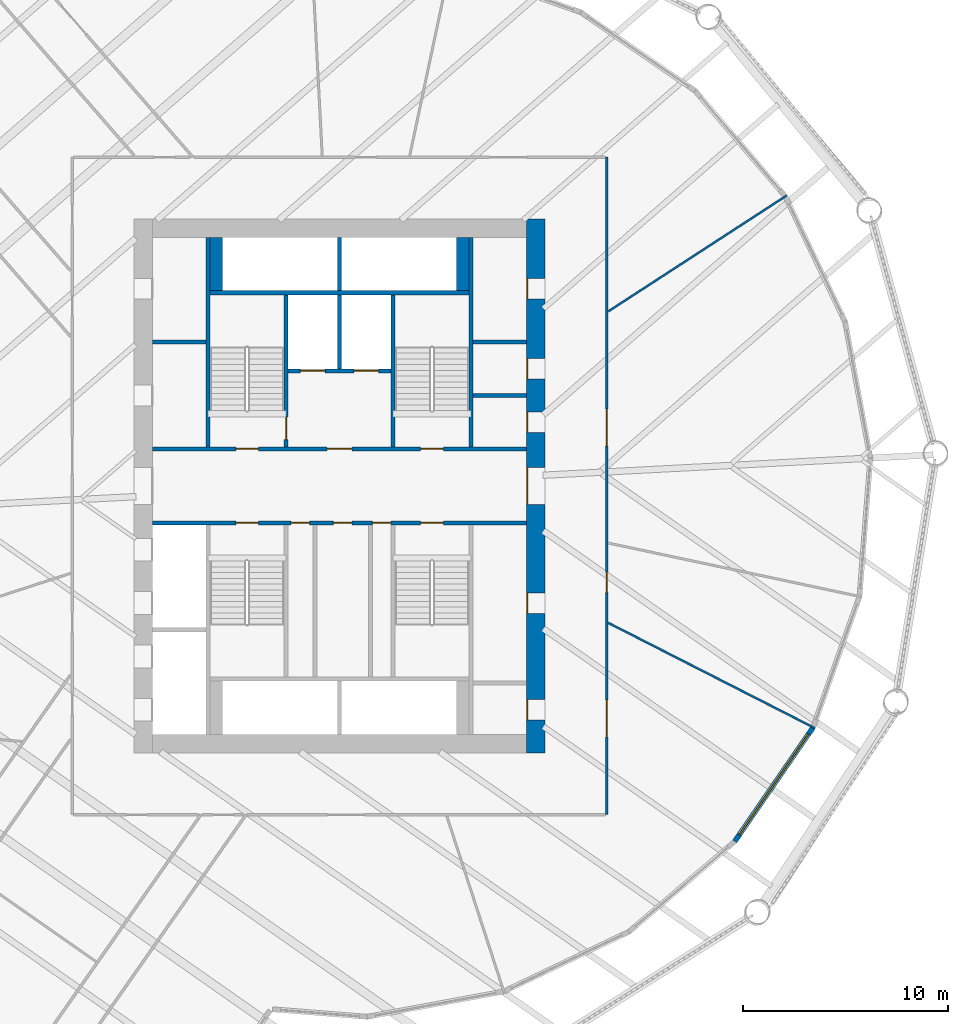
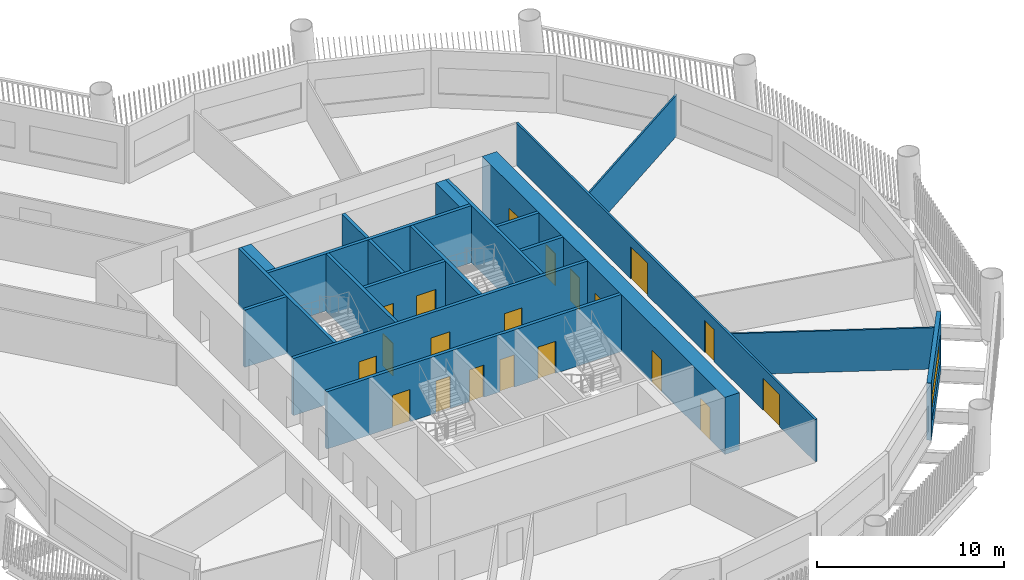
# One storey, part 5 of 15: 20 doors, 20 walls, 1 window, 21 openings.
"""IFC4 building model written with IfcOpenShell, lengths in metres."""

from ifc_helpers import new_model, si_unit, direction, frame, frame_2d, origin, place, context, subcontext, project, spatial, rectangle, extrude, material, layer, layer_set, type_object, element, fill, save


model = new_model("IFC4")

# Units and contexts
model_context = context("Model", 3, precision=1e-05, world=origin(), true_north=direction((0.0, 1.0)))
body_context = subcontext(model_context, "Body", "Model", "MODEL_VIEW")
ifc_project = project(units=[si_unit("LENGTHUNIT", "METRE"), si_unit("AREAUNIT", "SQUARE_METRE"), si_unit("VOLUMEUNIT", "CUBIC_METRE"), si_unit("PLANEANGLEUNIT", "RADIAN"), si_unit("MASSUNIT", "GRAM", prefix="KILO")], contexts=[model_context])

# Site, building, storey
site_placement = place(None, origin())
site = spatial("IfcSite", under=ifc_project, at=site_placement, CompositionType="ELEMENT")
building_placement = place(site_placement, origin())
building = spatial("IfcBuilding", under=site, at=building_placement, Name="Tarsis Ring Headquarters", CompositionType="ELEMENT")
storey_placement = place(building_placement, frame((0.0, 0.0, 51.699951171875)))
storey = spatial("IfcBuildingStorey", under=building, at=storey_placement, Name="L10", CompositionType="ELEMENT", Elevation=51.699951171875)

# Walls
ifc_material_1 = material(Name="Blockwork", Category="masonry")
ifc_layer_1 = layer(ifc_material_1, 0.199951171875)
ifc_layer_set_1 = layer_set([ifc_layer_1], Name="Core blockwork wall 200")
wall_type_1 = type_object("IfcWallType", Name="Core blockwork wall 200", PredefinedType="PARTITIONING", material=ifc_layer_set_1)
for number, where, z_axis, x_axis, name in (
    (1, (-9.10009765625, 7.0, 0.0), (0.0, 0.0, 1.0), (1.0, 0.0, 0.0), "Core partition WD6"),
    (2, (6.5, 4.39990234375, 0.0), (0.0, 0.0, 1.0), (1.0, 0.0, 0.0), "Core partition ED5"),
    (3, (6.5, 7.0, 0.0), (0.0, 0.0, 1.0), (1.0, 0.0, 0.0), "Core partition ED6"),
):
    element("IfcWall", number, at=place(storey_placement, frame(where, z_axis=z_axis, x_axis=x_axis)), inside=storey, type_object=wall_type_1, Name=name, PredefinedType="PARTITIONING", context=body_context, shape_type="SweptSolid", body=[
        extrude(rectangle(XDim=2.60009765625, YDim=0.199951171875, at=frame_2d((1.300048828125, 0.0))), origin(), (0.0, 0.0, 1.0), 3.739990234375),
    ])

# Wall, openings, doors
ifc_material_2 = material(Name="Concrete C60/75", Category="concrete")
ifc_layer_2 = layer(ifc_material_2, 0.89990234375)
ifc_layer_set_2 = layer_set([ifc_layer_2], Name="Core wall 900 C60/75")
wall_type_2 = type_object("IfcWallType", Name="Core wall 900 C60/75", PredefinedType="SHEAR", material=ifc_layer_set_2)
wall_1_placement = place(storey_placement, frame((9.550048828125, -13.0, 0.0), z_axis=(0.0, 0.0, 1.0), x_axis=(0.0, 1.0, 0.0)))
wall_1 = element("IfcWall", 4, at=wall_1_placement, inside=storey, type_object=wall_type_2, Name="Core wall OE", PredefinedType="SHEAR", context=body_context, shape_type="SweptSolid", body=[
    extrude(rectangle(XDim=26.0, YDim=0.89990234375, at=frame_2d((13.0, 0.0))), origin(), (0.0, 0.0, 1.0), 3.739990234375),
])
opening_1_placement = place(wall_1_placement, frame((1.60009765625, 0.0, 0.0)))
opening_1 = element("IfcOpeningElement", 5, at=opening_1_placement, cuts=wall_1, Name="Opening L10-C08", PredefinedType="OPENING", context=body_context, shape_type="SweptSolid", body=[
    extrude(rectangle(XDim=1.0, YDim=2.10009765625, at=frame_2d((0.5, 1.050048828125))), frame((0.0, 0.4599609375, 0.0), z_axis=(0.0, -1.0, 0.0), x_axis=(1.0, 0.0, 0.0)), (0.0, 0.0, 1.0), 0.919921875),
])
opening_2_placement = place(wall_1_placement, frame((6.800048828125, 0.0, 0.0)))
opening_2 = element("IfcOpeningElement", 6, at=opening_2_placement, cuts=wall_1, Name="Opening L10-C09", PredefinedType="OPENING", context=body_context, shape_type="SweptSolid", body=[
    extrude(rectangle(XDim=1.0, YDim=2.10009765625, at=frame_2d((0.5, 1.050048828125))), frame((0.0, 0.4599609375, 0.0), z_axis=(0.0, -1.0, 0.0), x_axis=(1.0, 0.0, 0.0)), (0.0, 0.0, 1.0), 0.919921875),
])
opening_3_placement = place(wall_1_placement, frame((12.10009765625, 0.0, 0.0)))
opening_3 = element("IfcOpeningElement", 7, at=opening_3_placement, cuts=wall_1, Name="Opening L10-C10", PredefinedType="OPENING", context=body_context, shape_type="SweptSolid", body=[
    extrude(rectangle(XDim=1.800048828125, YDim=2.10009765625, at=frame_2d((0.89990234375, 1.050048828125))), frame((0.0, 0.4599609375, 0.0), z_axis=(0.0, -1.0, 0.0), x_axis=(1.0, 0.0, 0.0)), (0.0, 0.0, 1.0), 0.919921875),
])
opening_4_placement = place(wall_1_placement, frame((15.60009765625, 0.0, 0.0)))
opening_4 = element("IfcOpeningElement", 8, at=opening_4_placement, cuts=wall_1, Name="Opening L10-C11", PredefinedType="OPENING", context=body_context, shape_type="SweptSolid", body=[
    extrude(rectangle(XDim=1.0, YDim=2.10009765625, at=frame_2d((0.5, 1.050048828125))), frame((0.0, 0.4599609375, 0.0), z_axis=(0.0, -1.0, 0.0), x_axis=(1.0, 0.0, 0.0)), (0.0, 0.0, 1.0), 0.919921875),
])
opening_5_placement = place(wall_1_placement, frame((18.199951171875, 0.0, 0.0)))
opening_5 = element("IfcOpeningElement", 9, at=opening_5_placement, cuts=wall_1, Name="Opening L10-C12", PredefinedType="OPENING", context=body_context, shape_type="SweptSolid", body=[
    extrude(rectangle(XDim=1.0, YDim=2.10009765625, at=frame_2d((0.5, 1.050048828125))), frame((0.0, 0.4599609375, 0.0), z_axis=(0.0, -1.0, 0.0), x_axis=(1.0, 0.0, 0.0)), (0.0, 0.0, 1.0), 0.919921875),
])
opening_6_placement = place(wall_1_placement, frame((22.10009765625, 0.0, 0.0)))
opening_6 = element("IfcOpeningElement", 10, at=opening_6_placement, cuts=wall_1, Name="Opening L10-C13", PredefinedType="OPENING", context=body_context, shape_type="SweptSolid", body=[
    extrude(rectangle(XDim=1.0, YDim=2.10009765625, at=frame_2d((0.5, 1.050048828125))), frame((0.0, 0.4599609375, 0.0), z_axis=(0.0, -1.0, 0.0), x_axis=(1.0, 0.0, 0.0)), (0.0, 0.0, 1.0), 0.919921875),
])
ifc_material_3 = material(Name="Steel S355", Category="steel")
door_type_1 = type_object("IfcDoorType", Name="Core entry door 1800x2100", OperationType="DOUBLE_DOOR_SINGLE_SWING", PredefinedType="DOOR", material=ifc_material_3)
door_1_placement = place(opening_3_placement, origin())
door_1 = element("IfcDoor", 11, at=door_1_placement, inside=storey, type_object=door_type_1, Name="Core entry door L10", OperationType="DOUBLE_DOOR_SINGLE_SWING", OverallHeight=2.10009765625, OverallWidth=1.800048828125, PredefinedType="DOOR", context=body_context, shape_type="SweptSolid", body=[
    extrude(rectangle(XDim=1.800048828125, YDim=2.10009765625, at=frame_2d((0.89990234375, 1.050048828125))), frame((0.0, 0.4501953125, 0.0), z_axis=(0.0, -1.0, 0.0), x_axis=(1.0, 0.0, 0.0)), (0.0, 0.0, 1.0), 0.050048828125),
])
fill(opening_3, door_1)
door_type_2 = type_object("IfcDoorType", Name="Core room door 1000x2100", OperationType="SINGLE_SWING_LEFT", PredefinedType="DOOR", material=ifc_material_3)
door_2_placement = place(opening_1_placement, origin())
door_2 = element("IfcDoor", 12, at=door_2_placement, inside=storey, type_object=door_type_2, Name="Core room door L10", OperationType="SINGLE_SWING_LEFT", OverallHeight=2.10009765625, OverallWidth=1.0, PredefinedType="DOOR", context=body_context, shape_type="SweptSolid", body=[
    extrude(rectangle(XDim=1.0, YDim=2.10009765625, at=frame_2d((0.5, 1.050048828125))), frame((0.0, 0.4501953125, 0.0), z_axis=(0.0, -1.0, 0.0), x_axis=(1.0, 0.0, 0.0)), (0.0, 0.0, 1.0), 0.050048828125),
])
fill(opening_1, door_2)
door_3_placement = place(opening_2_placement, origin())
door_3 = element("IfcDoor", 13, at=door_3_placement, inside=storey, type_object=door_type_2, Name="Core room door L10", OperationType="SINGLE_SWING_LEFT", OverallHeight=2.10009765625, OverallWidth=1.0, PredefinedType="DOOR", context=body_context, shape_type="SweptSolid", body=[
    extrude(rectangle(XDim=1.0, YDim=2.10009765625, at=frame_2d((0.5, 1.050048828125))), frame((0.0, 0.4501953125, 0.0), z_axis=(0.0, -1.0, 0.0), x_axis=(1.0, 0.0, 0.0)), (0.0, 0.0, 1.0), 0.050048828125),
])
fill(opening_2, door_3)
door_4_placement = place(opening_4_placement, origin())
door_4 = element("IfcDoor", 14, at=door_4_placement, inside=storey, type_object=door_type_2, Name="Core room door L10", OperationType="SINGLE_SWING_LEFT", OverallHeight=2.10009765625, OverallWidth=1.0, PredefinedType="DOOR", context=body_context, shape_type="SweptSolid", body=[
    extrude(rectangle(XDim=1.0, YDim=2.10009765625, at=frame_2d((0.5, 1.050048828125))), frame((0.0, 0.4501953125, 0.0), z_axis=(0.0, -1.0, 0.0), x_axis=(1.0, 0.0, 0.0)), (0.0, 0.0, 1.0), 0.050048828125),
])
fill(opening_4, door_4)
door_5_placement = place(opening_5_placement, origin())
door_5 = element("IfcDoor", 15, at=door_5_placement, inside=storey, type_object=door_type_2, Name="Core room door L10", OperationType="SINGLE_SWING_LEFT", OverallHeight=2.10009765625, OverallWidth=1.0, PredefinedType="DOOR", context=body_context, shape_type="SweptSolid", body=[
    extrude(rectangle(XDim=1.0, YDim=2.10009765625, at=frame_2d((0.5, 1.050048828125))), frame((0.0, 0.4501953125, 0.0), z_axis=(0.0, -1.0, 0.0), x_axis=(1.0, 0.0, 0.0)), (0.0, 0.0, 1.0), 0.050048828125),
])
fill(opening_5, door_5)
door_6_placement = place(opening_6_placement, origin())
door_6 = element("IfcDoor", 16, at=door_6_placement, inside=storey, type_object=door_type_2, Name="Core room door L10", OperationType="SINGLE_SWING_LEFT", OverallHeight=2.10009765625, OverallWidth=1.0, PredefinedType="DOOR", context=body_context, shape_type="SweptSolid", body=[
    extrude(rectangle(XDim=1.0, YDim=2.10009765625, at=frame_2d((0.5, 1.050048828125))), frame((0.0, 0.4501953125, 0.0), z_axis=(0.0, -1.0, 0.0), x_axis=(1.0, 0.0, 0.0)), (0.0, 0.0, 1.0), 0.050048828125),
])
fill(opening_6, door_6)

# Walls
ifc_material_4 = material(Name="Gypsum board on steel studs", Category="steel")
ifc_layer_3 = layer(ifc_material_4, 0.10009765625)
ifc_layer_set_3 = layer_set([ifc_layer_3], Name="FL partition 100 unrated")
wall_type_3 = type_object("IfcWallType", Name="FL partition 100 unrated", PredefinedType="PARTITIONING", material=ifc_layer_set_3)
wall_2_placement = place(storey_placement, frame((13.080078125, -6.664794921875, 0.0), z_axis=(0.0, 0.0, 1.0), x_axis=(0.891012707904, -0.453978363309, 0.0)))
element("IfcWall", 17, at=wall_2_placement, inside=storey, type_object=wall_type_3, Name="Partition PW3", PredefinedType="PARTITIONING", context=body_context, shape_type="SweptSolid", body=[
    extrude(rectangle(XDim=11.267578125, YDim=0.10009765625, at=frame_2d((5.6337890625, 0.0))), origin(), (0.0, 0.0, 1.0), 2.699951171875),
])
wall_3_placement = place(storey_placement, frame((13.083984375, 8.496826171875, 0.0), z_axis=(0.0, 0.0, 1.0), x_axis=(0.838676425527, 0.544630015024, 0.0)))
element("IfcWall", 18, at=wall_3_placement, inside=storey, type_object=wall_type_3, Name="Partition PW3", PredefinedType="PARTITIONING", context=body_context, shape_type="SweptSolid", body=[
    extrude(rectangle(XDim=10.346923828125, YDim=0.10009765625, at=frame_2d((5.17333984375, 0.0))), origin(), (0.0, 0.0, 1.0), 2.699951171875),
])

# Wall, openings, doors
ifc_layer_4 = layer(ifc_material_4, 0.125)
ifc_layer_set_4 = layer_set([ifc_layer_4], Name="FL partition 125 EI 60 H2770")
wall_type_4 = type_object("IfcWallType", Name="FL partition 125 EI 60 H2770", PredefinedType="PARTITIONING", material=ifc_layer_set_4)
wall_4_placement = place(storey_placement, frame((13.0, -16.0, 0.0), z_axis=(0.0, 0.0, 1.0), x_axis=(0.0, 1.0, 0.0)))
wall_4 = element("IfcWall", 19, at=wall_4_placement, inside=storey, type_object=wall_type_4, Name="Partition PW1", PredefinedType="PARTITIONING", context=body_context, shape_type="SweptSolid", body=[
    extrude(rectangle(XDim=32.0, YDim=0.125, at=frame_2d((16.0, 0.0))), origin(), (0.0, 0.0, 1.0), 2.77001953125),
])
opening_7_placement = place(wall_4_placement, frame((17.939453125, 0.0, 0.0)))
opening_7 = element("IfcOpeningElement", 20, at=opening_7_placement, cuts=wall_4, Name="Opening D10.06", PredefinedType="OPENING", context=body_context, shape_type="SweptSolid", body=[
    extrude(rectangle(XDim=1.800048828125, YDim=2.10009765625, at=frame_2d((0.89990234375, 1.050048828125))), frame((0.0, 0.072509765625, 0.0), z_axis=(0.0, -1.0, 0.0), x_axis=(1.0, 0.0, 0.0)), (0.0, 0.0, 1.0), 0.14501953125),
])
opening_8_placement = place(wall_4_placement, frame((10.806396484375, 0.0, 0.0)))
opening_8 = element("IfcOpeningElement", 21, at=opening_8_placement, cuts=wall_4, Name="Opening D10.07", PredefinedType="OPENING", context=body_context, shape_type="SweptSolid", body=[
    extrude(rectangle(XDim=1.0, YDim=2.10009765625, at=frame_2d((0.5, 1.050048828125))), frame((0.0, 0.072509765625, 0.0), z_axis=(0.0, -1.0, 0.0), x_axis=(1.0, 0.0, 0.0)), (0.0, 0.0, 1.0), 0.14501953125),
])
opening_9_placement = place(wall_4_placement, frame((3.7880859375, 0.0, 0.0)))
opening_9 = element("IfcOpeningElement", 22, at=opening_9_placement, cuts=wall_4, Name="Opening D10.08", PredefinedType="OPENING", context=body_context, shape_type="SweptSolid", body=[
    extrude(rectangle(XDim=1.800048828125, YDim=2.10009765625, at=frame_2d((0.89990234375, 1.050048828125))), frame((0.0, 0.072509765625, 0.0), z_axis=(0.0, -1.0, 0.0), x_axis=(1.0, 0.0, 0.0)), (0.0, 0.0, 1.0), 0.14501953125),
])
ifc_material_5 = material(Name="Fire-rated timber door leaf in steel frame", Category="steel")
door_type_3 = type_object("IfcDoorType", Name="FL door FD60-1000", OperationType="NOTDEFINED", PredefinedType="DOOR", material=ifc_material_5)
door_7_placement = place(opening_8_placement, origin())
door_7 = element("IfcDoor", 23, at=door_7_placement, inside=storey, type_object=door_type_3, Name="Door D10.07", OperationType="SINGLE_SWING_LEFT", OverallHeight=2.10009765625, OverallWidth=1.0, PredefinedType="DOOR", context=body_context, shape_type="SweptSolid", body=[
    extrude(rectangle(XDim=1.0, YDim=2.10009765625, at=frame_2d((0.5, 1.050048828125))), frame((0.0, 0.02490234375, 0.0), z_axis=(0.0, -1.0, 0.0), x_axis=(1.0, 0.0, 0.0)), (0.0, 0.0, 1.0), 0.050048828125),
])
fill(opening_8, door_7)
door_type_4 = type_object("IfcDoorType", Name="FL door FD60-1800", OperationType="DOUBLE_DOOR_SINGLE_SWING", PredefinedType="DOOR", material=ifc_material_5)
door_8_placement = place(opening_7_placement, origin())
door_8 = element("IfcDoor", 24, at=door_8_placement, inside=storey, type_object=door_type_4, Name="Door D10.06", OperationType="DOUBLE_DOOR_SINGLE_SWING", OverallHeight=2.10009765625, OverallWidth=1.800048828125, PredefinedType="DOOR", context=body_context, shape_type="SweptSolid", body=[
    extrude(rectangle(XDim=1.800048828125, YDim=2.10009765625, at=frame_2d((0.89990234375, 1.050048828125))), frame((0.0, 0.02490234375, 0.0), z_axis=(0.0, -1.0, 0.0), x_axis=(1.0, 0.0, 0.0)), (0.0, 0.0, 1.0), 0.050048828125),
])
fill(opening_7, door_8)
door_9_placement = place(opening_9_placement, origin())
door_9 = element("IfcDoor", 25, at=door_9_placement, inside=storey, type_object=door_type_4, Name="Door D10.08", OperationType="DOUBLE_DOOR_SINGLE_SWING", OverallHeight=2.10009765625, OverallWidth=1.800048828125, PredefinedType="DOOR", context=body_context, shape_type="SweptSolid", body=[
    extrude(rectangle(XDim=1.800048828125, YDim=2.10009765625, at=frame_2d((0.89990234375, 1.050048828125))), frame((0.0, 0.02490234375, 0.0), z_axis=(0.0, -1.0, 0.0), x_axis=(1.0, 0.0, 0.0)), (0.0, 0.0, 1.0), 0.050048828125),
])
fill(opening_9, door_9)

# Wall, opening, window
ifc_material_6 = material(Name="Terracotta clad insulated panel wall", Category="masonry")
ifc_layer_5 = layer(ifc_material_6, 0.25)
ifc_layer_set_5 = layer_set([ifc_layer_5], Name="Facade wall terracotta panel 250")
wall_type_5 = type_object("IfcWallType", Name="Facade wall terracotta panel 250", PredefinedType="STANDARD", material=ifc_layer_set_5)
wall_5_placement = place(storey_placement, frame((19.2373046875, -17.299560546875, 0.0), z_axis=(0.0, 0.0, 1.0), x_axis=(0.566396247185, 0.824133054291, 0.0)))
wall_5 = element("IfcWall", 26, at=wall_5_placement, inside=storey, type_object=wall_type_5, Name="External wall L10-21", PredefinedType="STANDARD", context=body_context, shape_type="SweptSolid", body=[
    extrude(rectangle(XDim=6.7216796875, YDim=0.25, at=frame_2d((3.36083984375, 0.0))), origin(), (0.0, 0.0, 1.0), 3.739990234375),
])
opening_10_placement = place(wall_5_placement, frame((0.3857421875, 0.0, 0.89990234375)))
opening_10 = element("IfcOpeningElement", 27, at=opening_10_placement, cuts=wall_5, Name="Opening WN07", PredefinedType="OPENING", context=body_context, shape_type="SweptSolid", body=[
    extrude(rectangle(XDim=5.949951171875, YDim=1.699951171875, at=frame_2d((2.97509765625, 0.85009765625))), frame((0.0, 0.135009765625, 0.0), z_axis=(0.0, -1.0, 0.0), x_axis=(1.0, 0.0, 0.0)), (0.0, 0.0, 1.0), 0.27001953125),
])
ifc_material_7 = material(Name="Aluminium framed double glazing", Category="aluminium")
window_type = type_object("IfcWindowType", Name="Facade window 5950 x 1700", PartitioningType="SINGLE_PANEL", PredefinedType="WINDOW", material=ifc_material_7)
window_placement = place(opening_10_placement, origin())
window = element("IfcWindow", 28, at=window_placement, inside=storey, type_object=window_type, Name="Window L10-21.1", OverallHeight=1.699951171875, OverallWidth=5.949951171875, PartitioningType="SINGLE_PANEL", PredefinedType="WINDOW", context=body_context, shape_type="SweptSolid", body=[
    extrude(rectangle(XDim=5.949951171875, YDim=1.699951171875, at=frame_2d((2.97509765625, 0.85009765625))), frame((0.0, 0.030029296875, 0.0), z_axis=(0.0, -1.0, 0.0), x_axis=(1.0, 0.0, 0.0)), (0.0, 0.0, 1.0), 0.06005859375),
])
fill(opening_10, window)

# Walls
ifc_material_8 = material(Name="Concrete C32/40", Category="concrete")
ifc_layer_6 = layer(ifc_material_8, 0.60009765625)
ifc_layer_set_6 = layer_set([ifc_layer_6], Name="Shaft end wall 600 C32/40")
wall_type_6 = type_object("IfcWallType", Name="Shaft end wall 600 C32/40", PredefinedType="SOLIDWALL", material=ifc_layer_set_6)
for number, where, z_axis, x_axis, name in (
    (29, (-6.0, 9.5, 0.0), (0.0, 0.0, 1.0), (0.0, 1.0, 0.0), "Core shaft wall NNE1"),
    (30, (6.0, 9.5, 0.0), (0.0, 0.0, 1.0), (0.0, 1.0, 0.0), "Core shaft wall NNE2"),
):
    element("IfcWall", number, at=place(storey_placement, frame(where, z_axis=z_axis, x_axis=x_axis)), inside=storey, type_object=wall_type_6, Name=name, PredefinedType="SOLIDWALL", context=body_context, shape_type="SweptSolid", body=[
        extrude(rectangle(XDim=2.60009765625, YDim=0.60009765625, at=frame_2d((1.300048828125, 0.0))), origin(), (0.0, 0.0, 1.0), 3.739990234375),
    ])

# Wall, openings, doors
ifc_layer_7 = layer(ifc_material_8, 0.199951171875)
ifc_layer_set_7 = layer_set([ifc_layer_7], Name="Shaft wall 200 C32/40")
wall_type_7 = type_object("IfcWallType", Name="Shaft wall 200 C32/40", PredefinedType="SOLIDWALL", material=ifc_layer_set_7)
wall_6_placement = place(storey_placement, frame((-9.10009765625, 1.800048828125, 0.0), z_axis=(0.0, 0.0, 1.0), x_axis=(1.0, 0.0, 0.0)))
wall_6 = element("IfcWall", 31, at=wall_6_placement, inside=storey, type_object=wall_type_7, Name="Core shaft wall CN", PredefinedType="SOLIDWALL", context=body_context, shape_type="SweptSolid", body=[
    extrude(rectangle(XDim=18.2001953125, YDim=0.199951171875, at=frame_2d((9.10009765625, 0.0))), origin(), (0.0, 0.0, 1.0), 3.739990234375),
])
opening_11_placement = place(wall_6_placement, frame((4.050048828125, 0.0, 0.0)))
opening_11 = element("IfcOpeningElement", 32, at=opening_11_placement, cuts=wall_6, Name="Opening L10-C14", PredefinedType="OPENING", context=body_context, shape_type="SweptSolid", body=[
    extrude(rectangle(XDim=1.10009765625, YDim=2.10009765625, at=frame_2d((0.550048828125, 1.050048828125))), frame((0.0, 0.10986328125, 0.0), z_axis=(0.0, -1.0, 0.0), x_axis=(1.0, 0.0, 0.0)), (0.0, 0.0, 1.0), 0.219970703125),
])
opening_12_placement = place(wall_6_placement, frame((8.5, 0.0, 0.0)))
opening_12 = element("IfcOpeningElement", 33, at=opening_12_placement, cuts=wall_6, Name="Opening L10-C15", PredefinedType="OPENING", context=body_context, shape_type="SweptSolid", body=[
    extrude(rectangle(XDim=1.199951171875, YDim=2.10009765625, at=frame_2d((0.60009765625, 1.050048828125))), frame((0.0, 0.10986328125, 0.0), z_axis=(0.0, -1.0, 0.0), x_axis=(1.0, 0.0, 0.0)), (0.0, 0.0, 1.0), 0.219970703125),
])
opening_13_placement = place(wall_6_placement, frame((13.050048828125, 0.0, 0.0)))
opening_13 = element("IfcOpeningElement", 34, at=opening_13_placement, cuts=wall_6, Name="Opening L10-C16", PredefinedType="OPENING", context=body_context, shape_type="SweptSolid", body=[
    extrude(rectangle(XDim=1.10009765625, YDim=2.10009765625, at=frame_2d((0.550048828125, 1.050048828125))), frame((0.0, 0.10986328125, 0.0), z_axis=(0.0, -1.0, 0.0), x_axis=(1.0, 0.0, 0.0)), (0.0, 0.0, 1.0), 0.219970703125),
])
door_type_5 = type_object("IfcDoorType", Name="Firefighting lobby door 1200x2100", OperationType="DOUBLE_DOOR_SINGLE_SWING", PredefinedType="DOOR", material=ifc_material_3)
door_10_placement = place(opening_12_placement, origin())
door_10 = element("IfcDoor", 35, at=door_10_placement, inside=storey, type_object=door_type_5, Name="Firefighting lobby door L10", OperationType="DOUBLE_DOOR_SINGLE_SWING", OverallHeight=2.10009765625, OverallWidth=1.199951171875, PredefinedType="DOOR", context=body_context, shape_type="SweptSolid", body=[
    extrude(rectangle(XDim=1.199951171875, YDim=2.10009765625, at=frame_2d((0.60009765625, 1.050048828125))), frame((0.0, 0.02490234375, 0.0), z_axis=(0.0, -1.0, 0.0), x_axis=(1.0, 0.0, 0.0)), (0.0, 0.0, 1.0), 0.050048828125),
])
fill(opening_12, door_10)
door_type_6 = type_object("IfcDoorType", Name="Stair door 1100x2100", OperationType="SINGLE_SWING_LEFT", PredefinedType="DOOR", material=ifc_material_3)
door_11_placement = place(opening_11_placement, origin())
door_11 = element("IfcDoor", 36, at=door_11_placement, inside=storey, type_object=door_type_6, Name="Stair door L10", OperationType="SINGLE_SWING_LEFT", OverallHeight=2.10009765625, OverallWidth=1.10009765625, PredefinedType="DOOR", context=body_context, shape_type="SweptSolid", body=[
    extrude(rectangle(XDim=1.10009765625, YDim=2.10009765625, at=frame_2d((0.550048828125, 1.050048828125))), frame((0.0, 0.02490234375, 0.0), z_axis=(0.0, -1.0, 0.0), x_axis=(1.0, 0.0, 0.0)), (0.0, 0.0, 1.0), 0.050048828125),
])
fill(opening_11, door_11)
door_12_placement = place(opening_13_placement, origin())
door_12 = element("IfcDoor", 37, at=door_12_placement, inside=storey, type_object=door_type_6, Name="Stair door L10", OperationType="SINGLE_SWING_LEFT", OverallHeight=2.10009765625, OverallWidth=1.10009765625, PredefinedType="DOOR", context=body_context, shape_type="SweptSolid", body=[
    extrude(rectangle(XDim=1.10009765625, YDim=2.10009765625, at=frame_2d((0.550048828125, 1.050048828125))), frame((0.0, 0.02490234375, 0.0), z_axis=(0.0, -1.0, 0.0), x_axis=(1.0, 0.0, 0.0)), (0.0, 0.0, 1.0), 0.050048828125),
])
fill(opening_13, door_12)

wall_7_placement = place(storey_placement, frame((-9.10009765625, -1.800048828125, 0.0), z_axis=(0.0, 0.0, 1.0), x_axis=(1.0, 0.0, 0.0)))
wall_7 = element("IfcWall", 38, at=wall_7_placement, inside=storey, type_object=wall_type_7, Name="Core shaft wall CS", PredefinedType="SOLIDWALL", context=body_context, shape_type="SweptSolid", body=[
    extrude(rectangle(XDim=18.2001953125, YDim=0.199951171875, at=frame_2d((9.10009765625, 0.0))), origin(), (0.0, 0.0, 1.0), 3.739990234375),
])
opening_14_placement = place(wall_7_placement, frame((4.050048828125, 0.0, 0.0)))
opening_14 = element("IfcOpeningElement", 39, at=opening_14_placement, cuts=wall_7, Name="Opening L10-C17", PredefinedType="OPENING", context=body_context, shape_type="SweptSolid", body=[
    extrude(rectangle(XDim=1.10009765625, YDim=2.10009765625, at=frame_2d((0.550048828125, 1.050048828125))), frame((0.0, 0.10986328125, 0.0), z_axis=(0.0, -1.0, 0.0), x_axis=(1.0, 0.0, 0.0)), (0.0, 0.0, 1.0), 0.219970703125),
])
opening_15_placement = place(wall_7_placement, frame((6.75, 0.0, 0.0)))
opening_15 = element("IfcOpeningElement", 40, at=opening_15_placement, cuts=wall_7, Name="Opening L10-C18", PredefinedType="OPENING", context=body_context, shape_type="SweptSolid", body=[
    extrude(rectangle(XDim=0.89990234375, YDim=2.10009765625, at=frame_2d((0.449951171875, 1.050048828125))), frame((0.0, 0.10986328125, 0.0), z_axis=(0.0, -1.0, 0.0), x_axis=(1.0, 0.0, 0.0)), (0.0, 0.0, 1.0), 0.219970703125),
])
opening_16_placement = place(wall_7_placement, frame((8.800048828125, 0.0, 0.0)))
opening_16 = element("IfcOpeningElement", 41, at=opening_16_placement, cuts=wall_7, Name="Opening L10-C19", PredefinedType="OPENING", context=body_context, shape_type="SweptSolid", body=[
    extrude(rectangle(XDim=0.89990234375, YDim=2.10009765625, at=frame_2d((0.449951171875, 1.050048828125))), frame((0.0, 0.10986328125, 0.0), z_axis=(0.0, -1.0, 0.0), x_axis=(1.0, 0.0, 0.0)), (0.0, 0.0, 1.0), 0.219970703125),
])
opening_17_placement = place(wall_7_placement, frame((10.699951171875, 0.0, 0.0)))
opening_17 = element("IfcOpeningElement", 42, at=opening_17_placement, cuts=wall_7, Name="Opening L10-C20", PredefinedType="OPENING", context=body_context, shape_type="SweptSolid", body=[
    extrude(rectangle(XDim=0.89990234375, YDim=2.10009765625, at=frame_2d((0.449951171875, 1.050048828125))), frame((0.0, 0.10986328125, 0.0), z_axis=(0.0, -1.0, 0.0), x_axis=(1.0, 0.0, 0.0)), (0.0, 0.0, 1.0), 0.219970703125),
])
opening_18_placement = place(wall_7_placement, frame((13.050048828125, 0.0, 0.0)))
opening_18 = element("IfcOpeningElement", 43, at=opening_18_placement, cuts=wall_7, Name="Opening L10-C21", PredefinedType="OPENING", context=body_context, shape_type="SweptSolid", body=[
    extrude(rectangle(XDim=1.10009765625, YDim=2.10009765625, at=frame_2d((0.550048828125, 1.050048828125))), frame((0.0, 0.10986328125, 0.0), z_axis=(0.0, -1.0, 0.0), x_axis=(1.0, 0.0, 0.0)), (0.0, 0.0, 1.0), 0.219970703125),
])
door_13_placement = place(opening_14_placement, origin())
door_13 = element("IfcDoor", 44, at=door_13_placement, inside=storey, type_object=door_type_6, Name="Stair door L10", OperationType="SINGLE_SWING_LEFT", OverallHeight=2.10009765625, OverallWidth=1.10009765625, PredefinedType="DOOR", context=body_context, shape_type="SweptSolid", body=[
    extrude(rectangle(XDim=1.10009765625, YDim=2.10009765625, at=frame_2d((0.550048828125, 1.050048828125))), frame((0.0, 0.02490234375, 0.0), z_axis=(0.0, -1.0, 0.0), x_axis=(1.0, 0.0, 0.0)), (0.0, 0.0, 1.0), 0.050048828125),
])
fill(opening_14, door_13)
door_14_placement = place(opening_18_placement, origin())
door_14 = element("IfcDoor", 45, at=door_14_placement, inside=storey, type_object=door_type_6, Name="Stair door L10", OperationType="SINGLE_SWING_LEFT", OverallHeight=2.10009765625, OverallWidth=1.10009765625, PredefinedType="DOOR", context=body_context, shape_type="SweptSolid", body=[
    extrude(rectangle(XDim=1.10009765625, YDim=2.10009765625, at=frame_2d((0.550048828125, 1.050048828125))), frame((0.0, 0.02490234375, 0.0), z_axis=(0.0, -1.0, 0.0), x_axis=(1.0, 0.0, 0.0)), (0.0, 0.0, 1.0), 0.050048828125),
])
fill(opening_18, door_14)
door_type_7 = type_object("IfcDoorType", Name="WC door 900x2100", OperationType="SINGLE_SWING_LEFT", PredefinedType="DOOR", material=ifc_material_3)
door_15_placement = place(opening_15_placement, origin())
door_15 = element("IfcDoor", 46, at=door_15_placement, inside=storey, type_object=door_type_7, Name="WC door L10", OperationType="SINGLE_SWING_LEFT", OverallHeight=2.10009765625, OverallWidth=0.89990234375, PredefinedType="DOOR", context=body_context, shape_type="SweptSolid", body=[
    extrude(rectangle(XDim=0.89990234375, YDim=2.10009765625, at=frame_2d((0.449951171875, 1.050048828125))), frame((0.0, 0.02490234375, 0.0), z_axis=(0.0, -1.0, 0.0), x_axis=(1.0, 0.0, 0.0)), (0.0, 0.0, 1.0), 0.050048828125),
])
fill(opening_15, door_15)
door_16_placement = place(opening_16_placement, origin())
door_16 = element("IfcDoor", 47, at=door_16_placement, inside=storey, type_object=door_type_7, Name="WC door L10", OperationType="SINGLE_SWING_LEFT", OverallHeight=2.10009765625, OverallWidth=0.89990234375, PredefinedType="DOOR", context=body_context, shape_type="SweptSolid", body=[
    extrude(rectangle(XDim=0.89990234375, YDim=2.10009765625, at=frame_2d((0.449951171875, 1.050048828125))), frame((0.0, 0.02490234375, 0.0), z_axis=(0.0, -1.0, 0.0), x_axis=(1.0, 0.0, 0.0)), (0.0, 0.0, 1.0), 0.050048828125),
])
fill(opening_16, door_16)
door_17_placement = place(opening_17_placement, origin())
door_17 = element("IfcDoor", 48, at=door_17_placement, inside=storey, type_object=door_type_7, Name="WC door L10", OperationType="SINGLE_SWING_LEFT", OverallHeight=2.10009765625, OverallWidth=0.89990234375, PredefinedType="DOOR", context=body_context, shape_type="SweptSolid", body=[
    extrude(rectangle(XDim=0.89990234375, YDim=2.10009765625, at=frame_2d((0.449951171875, 1.050048828125))), frame((0.0, 0.02490234375, 0.0), z_axis=(0.0, -1.0, 0.0), x_axis=(1.0, 0.0, 0.0)), (0.0, 0.0, 1.0), 0.050048828125),
])
fill(opening_17, door_17)

# Walls
for number, where, z_axis, x_axis, name in (
    (49, (-6.39990234375, 1.89990234375, 0.0), (0.0, 0.0, 1.0), (0.0, 1.0, 0.0), "Core shaft wall WB2"),
    (50, (6.39990234375, 1.89990234375, 0.0), (0.0, 0.0, 1.0), (0.0, 1.0, 0.0), "Core shaft wall EB2"),
):
    element("IfcWall", number, at=place(storey_placement, frame(where, z_axis=z_axis, x_axis=x_axis)), inside=storey, type_object=wall_type_7, Name=name, PredefinedType="SOLIDWALL", context=body_context, shape_type="SweptSolid", body=[
        extrude(rectangle(XDim=10.2001953125, YDim=0.199951171875, at=frame_2d((5.10009765625, 0.0))), origin(), (0.0, 0.0, 1.0), 3.739990234375),
    ])
wall_8_placement = place(storey_placement, frame((-6.300048828125, 9.39990234375, 0.0), z_axis=(0.0, 0.0, 1.0), x_axis=(1.0, 0.0, 0.0)))
element("IfcWall", 51, at=wall_8_placement, inside=storey, type_object=wall_type_7, Name="Core shaft wall NB", PredefinedType="SOLIDWALL", context=body_context, shape_type="SweptSolid", body=[
    extrude(rectangle(XDim=12.60009765625, YDim=0.199951171875, at=frame_2d((6.300048828125, 0.0))), origin(), (0.0, 0.0, 1.0), 3.739990234375),
])

# Wall, opening, door
wall_9_placement = place(storey_placement, frame((-2.60009765625, 1.89990234375, 0.0), z_axis=(0.0, 0.0, 1.0), x_axis=(0.0, 1.0, 0.0)))
wall_9 = element("IfcWall", 52, at=wall_9_placement, inside=storey, type_object=wall_type_7, Name="Core shaft wall SW1", PredefinedType="SOLIDWALL", context=body_context, shape_type="SweptSolid", body=[
    extrude(rectangle(XDim=7.400146484375, YDim=0.199951171875, at=frame_2d((3.7001953125, 0.0))), origin(), (0.0, 0.0, 1.0), 3.739990234375),
])
opening_19_placement = place(wall_9_placement, frame((0.35009765625, 0.0, 0.0)))
opening_19 = element("IfcOpeningElement", 53, at=opening_19_placement, cuts=wall_9, Name="Opening L10-C22", PredefinedType="OPENING", context=body_context, shape_type="SweptSolid", body=[
    extrude(rectangle(XDim=1.10009765625, YDim=2.10009765625, at=frame_2d((0.550048828125, 1.050048828125))), frame((0.0, 0.10986328125, 0.0), z_axis=(0.0, -1.0, 0.0), x_axis=(1.0, 0.0, 0.0)), (0.0, 0.0, 1.0), 0.219970703125),
])
door_18_placement = place(opening_19_placement, origin())
door_18 = element("IfcDoor", 54, at=door_18_placement, inside=storey, type_object=door_type_6, Name="Stair door L10", OperationType="SINGLE_SWING_LEFT", OverallHeight=2.10009765625, OverallWidth=1.10009765625, PredefinedType="DOOR", context=body_context, shape_type="SweptSolid", body=[
    extrude(rectangle(XDim=1.10009765625, YDim=2.10009765625, at=frame_2d((0.550048828125, 1.050048828125))), frame((0.0, 0.02490234375, 0.0), z_axis=(0.0, -1.0, 0.0), x_axis=(1.0, 0.0, 0.0)), (0.0, 0.0, 1.0), 0.050048828125),
])
fill(opening_19, door_18)

# Wall
wall_10_placement = place(storey_placement, frame((2.60009765625, 1.89990234375, 0.0), z_axis=(0.0, 0.0, 1.0), x_axis=(0.0, 1.0, 0.0)))
element("IfcWall", 55, at=wall_10_placement, inside=storey, type_object=wall_type_7, Name="Core shaft wall SW2", PredefinedType="SOLIDWALL", context=body_context, shape_type="SweptSolid", body=[
    extrude(rectangle(XDim=7.400146484375, YDim=0.199951171875, at=frame_2d((3.7001953125, 0.0))), origin(), (0.0, 0.0, 1.0), 3.739990234375),
])

# Wall, openings, doors
wall_11_placement = place(storey_placement, frame((-2.5, 5.60009765625, 0.0), z_axis=(0.0, 0.0, 1.0), x_axis=(1.0, 0.0, 0.0)))
wall_11 = element("IfcWall", 56, at=wall_11_placement, inside=storey, type_object=wall_type_7, Name="Core shaft wall FFN", PredefinedType="SOLIDWALL", context=body_context, shape_type="SweptSolid", body=[
    extrude(rectangle(XDim=5.0, YDim=0.199951171875, at=frame_2d((2.5, 0.0))), origin(), (0.0, 0.0, 1.0), 3.739990234375),
])
opening_20_placement = place(wall_11_placement, frame((0.60009765625, 0.0, 0.0)))
opening_20 = element("IfcOpeningElement", 57, at=opening_20_placement, cuts=wall_11, Name="Opening LDF-1", PredefinedType="OPENING", context=body_context, shape_type="SweptSolid", body=[
    extrude(rectangle(XDim=1.199951171875, YDim=2.10009765625, at=frame_2d((0.60009765625, 1.050048828125))), frame((0.0, 0.10986328125, 0.0), z_axis=(0.0, -1.0, 0.0), x_axis=(1.0, 0.0, 0.0)), (0.0, 0.0, 1.0), 0.219970703125),
])
opening_21_placement = place(wall_11_placement, frame((3.199951171875, 0.0, 0.0)))
opening_21 = element("IfcOpeningElement", 58, at=opening_21_placement, cuts=wall_11, Name="Opening LDF-2", PredefinedType="OPENING", context=body_context, shape_type="SweptSolid", body=[
    extrude(rectangle(XDim=1.199951171875, YDim=2.10009765625, at=frame_2d((0.60009765625, 1.050048828125))), frame((0.0, 0.10986328125, 0.0), z_axis=(0.0, -1.0, 0.0), x_axis=(1.0, 0.0, 0.0)), (0.0, 0.0, 1.0), 0.219970703125),
])
door_type_8 = type_object("IfcDoorType", Name="Firefighting landing door 1200x2100", OperationType="SLIDING_TO_LEFT", PredefinedType="DOOR", material=ifc_material_3)
door_19_placement = place(opening_20_placement, origin())
door_19 = element("IfcDoor", 59, at=door_19_placement, inside=storey, type_object=door_type_8, Name="Landing door FF1 L10", OperationType="SLIDING_TO_LEFT", OverallHeight=2.10009765625, OverallWidth=1.199951171875, PredefinedType="DOOR", context=body_context, shape_type="SweptSolid", body=[
    extrude(rectangle(XDim=1.199951171875, YDim=2.10009765625, at=frame_2d((0.60009765625, 1.050048828125))), frame((0.0, 0.02490234375, 0.0), z_axis=(0.0, -1.0, 0.0), x_axis=(1.0, 0.0, 0.0)), (0.0, 0.0, 1.0), 0.050048828125),
])
fill(opening_20, door_19)
door_20_placement = place(opening_21_placement, origin())
door_20 = element("IfcDoor", 60, at=door_20_placement, inside=storey, type_object=door_type_8, Name="Landing door FF2 L10", OperationType="SLIDING_TO_LEFT", OverallHeight=2.10009765625, OverallWidth=1.199951171875, PredefinedType="DOOR", context=body_context, shape_type="SweptSolid", body=[
    extrude(rectangle(XDim=1.199951171875, YDim=2.10009765625, at=frame_2d((0.60009765625, 1.050048828125))), frame((0.0, 0.02490234375, 0.0), z_axis=(0.0, -1.0, 0.0), x_axis=(1.0, 0.0, 0.0)), (0.0, 0.0, 1.0), 0.050048828125),
])
fill(opening_21, door_20)

# Walls
wall_12_placement = place(storey_placement, frame((0.0, 5.699951171875, 0.0), z_axis=(0.0, 0.0, 1.0), x_axis=(0.0, 1.0, 0.0)))
element("IfcWall", 61, at=wall_12_placement, inside=storey, type_object=wall_type_7, Name="Core shaft wall FFD", PredefinedType="SOLIDWALL", context=body_context, shape_type="SweptSolid", body=[
    extrude(rectangle(XDim=3.60009765625, YDim=0.199951171875, at=frame_2d((1.800048828125, 0.0))), origin(), (0.0, 0.0, 1.0), 3.739990234375),
])
wall_13_placement = place(storey_placement, frame((0.0, 9.5, 0.0), z_axis=(0.0, 0.0, 1.0), x_axis=(0.0, 1.0, 0.0)))
element("IfcWall", 62, at=wall_13_placement, inside=storey, type_object=wall_type_7, Name="Core shaft wall ND2", PredefinedType="SOLIDWALL", context=body_context, shape_type="SweptSolid", body=[
    extrude(rectangle(XDim=2.60009765625, YDim=0.199951171875, at=frame_2d((1.300048828125, 0.0))), origin(), (0.0, 0.0, 1.0), 3.739990234375),
])

save(model, "model.ifc")
